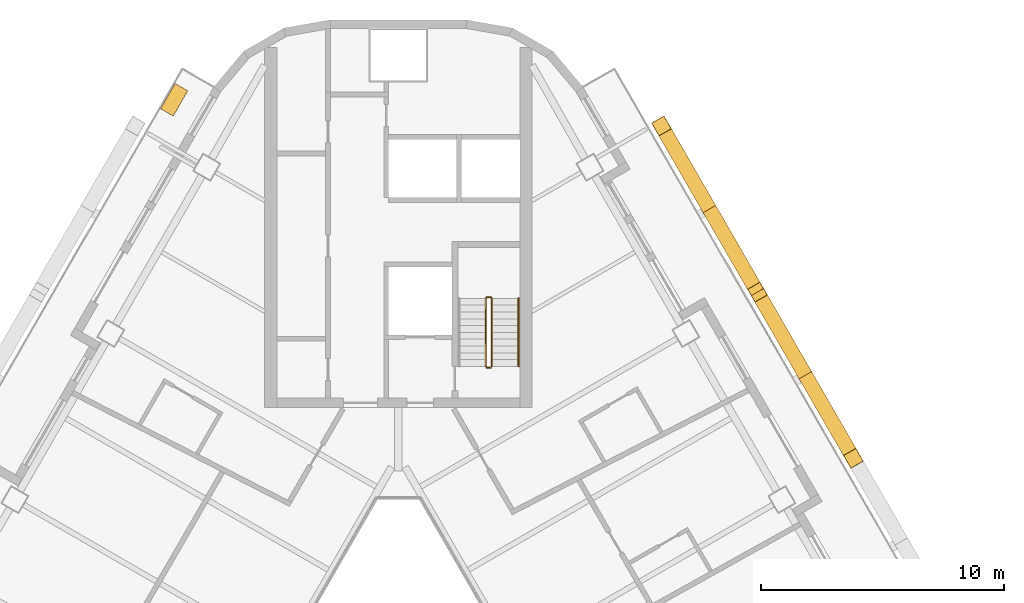
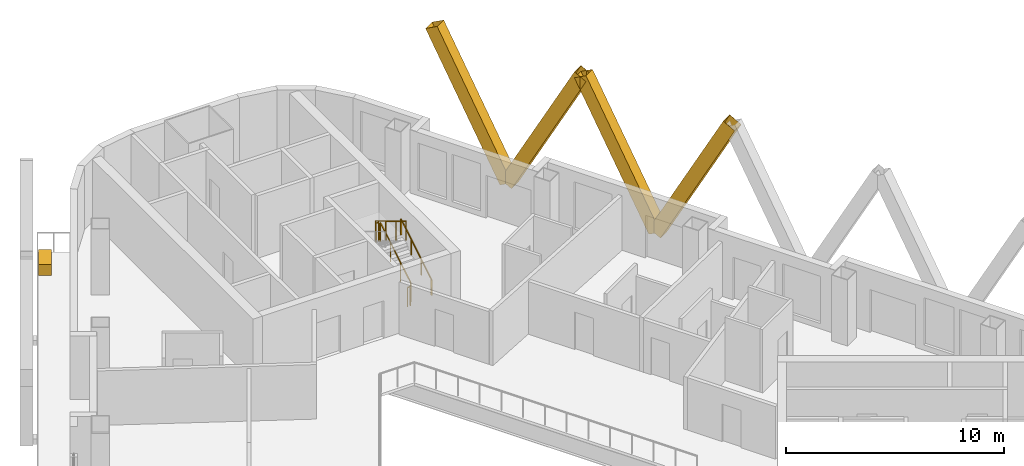
# One storey, part 14 of 14: 5 railings, 4 shading devices, 1 covering.
"""IFC4 building model written with IfcOpenShell, lengths in metres."""

from ifc_helpers import new_model, si_unit, direction, frame, origin, origin_2d, place, context, subcontext, project, spatial, rectangle, hollow_rectangle, circle, extrude, material, material_profile, profile_set, type_object, element, save


model = new_model("IFC4")

# Units and contexts
model_context = context("Model", 3, precision=1e-05, world=origin(), true_north=direction((0.0, 1.0)))
body_context = subcontext(model_context, "Body", "Model", "MODEL_VIEW")
ifc_project = project(units=[si_unit("LENGTHUNIT", "METRE"), si_unit("AREAUNIT", "SQUARE_METRE"), si_unit("VOLUMEUNIT", "CUBIC_METRE"), si_unit("PLANEANGLEUNIT", "RADIAN"), si_unit("MASSUNIT", "GRAM", prefix="KILO")], contexts=[model_context])

# Site, building, storey
site_placement = place(None, origin())
site = spatial("IfcSite", under=ifc_project, at=site_placement, CompositionType="ELEMENT")
building_placement = place(site_placement, origin())
building = spatial("IfcBuilding", under=site, at=building_placement, Name="Apuvela Tower Hotel", CompositionType="ELEMENT")
storey_placement = place(building_placement, frame((0.0, 0.0, 168.800048828125)))
storey = spatial("IfcBuildingStorey", under=building, at=storey_placement, Name="L40", CompositionType="ELEMENT", Elevation=168.800048828125)

# Railings
ifc_material_1 = material(Name="Steel S275 balustrade", Category="steel")
railing_type_1 = type_object("IfcRailingType", Name="COR-GUARD-1100", PredefinedType="GUARDRAIL", material=ifc_material_1)
railing_1_placement = place(storey_placement, frame((3.85009765625, 14.60009765625, 0.168212890625)))
element("IfcRailing", 1, at=railing_1_placement, inside=storey, type_object=railing_type_1, Name="L40 ST1 stair guard 1", PredefinedType="GUARDRAIL", context=body_context, shape_type="SweptSolid", body=[
    extrude(rectangle(XDim=0.048095703125, YDim=0.048095703125, at=origin_2d()), frame((0.0, 0.0, 1.076171875), z_axis=(0.0, 0.857255387014, 0.514891446264), x_axis=(-1.0, 0.0, 0.0)), (0.0, 0.0, 1.0), 3.26611328125),
    extrude(rectangle(XDim=0.0419921875, YDim=0.0419921875, at=origin_2d()), origin(), (0.0, 0.0, 1.0), 1.052001953125),
    extrude(rectangle(XDim=0.0419921875, YDim=0.0419921875, at=origin_2d()), frame((0.0, 0.933349609375, 0.560546875)), (0.0, 0.0, 1.0), 1.052001953125),
    extrude(rectangle(XDim=0.0419921875, YDim=0.0419921875, at=origin_2d()), frame((0.0, 1.866455078125, 1.12109375)), (0.0, 0.0, 1.0), 1.052001953125),
    extrude(rectangle(XDim=0.0419921875, YDim=0.0419921875, at=origin_2d()), frame((0.0, 2.7998046875, 1.681640625)), (0.0, 0.0, 1.0), 1.052001953125),
])
railing_2_placement = place(storey_placement, frame((3.800048828125, 17.449951171875, 1.849853515625)))
element("IfcRailing", 2, at=railing_2_placement, inside=storey, type_object=railing_type_1, Name="L40 ST1 stair guard 2", PredefinedType="GUARDRAIL", context=body_context, shape_type="SweptSolid", body=[
    extrude(rectangle(XDim=0.048095703125, YDim=0.048095703125, at=origin_2d()), frame((0.0, 0.0, 1.076171875), z_axis=(-1.0, 0.0, 0.0), x_axis=(0.0, -1.0, 0.0)), (0.0, 0.0, 1.0), 0.150146484375),
    extrude(rectangle(XDim=0.0419921875, YDim=0.0419921875, at=origin_2d()), origin(), (0.0, 0.0, 1.0), 1.052001953125),
    extrude(rectangle(XDim=0.0419921875, YDim=0.0419921875, at=origin_2d()), frame((-0.150146484375, 0.0, 0.0)), (0.0, 0.0, 1.0), 1.052001953125),
])
railing_3_placement = place(storey_placement, frame((3.60009765625, 17.39990234375, 2.01806640625)))
element("IfcRailing", 3, at=railing_3_placement, inside=storey, type_object=railing_type_1, Name="L40 ST1 stair guard 3", PredefinedType="GUARDRAIL", context=body_context, shape_type="SweptSolid", body=[
    extrude(rectangle(XDim=0.048095703125, YDim=0.048095703125, at=origin_2d()), frame((0.0, 0.0, 1.076171875), z_axis=(0.0, -0.857222391501, 0.514946377315), x_axis=(1.0, 0.0, 0.0)), (0.0, 0.0, 1.0), 3.26611328125),
    extrude(rectangle(XDim=0.0419921875, YDim=0.0419921875, at=origin_2d()), origin(), (0.0, 0.0, 1.0), 1.052001953125),
    extrude(rectangle(XDim=0.0419921875, YDim=0.0419921875, at=origin_2d()), frame((0.0, -0.933349609375, 0.560546875)), (0.0, 0.0, 1.0), 1.052001953125),
    extrude(rectangle(XDim=0.0419921875, YDim=0.0419921875, at=origin_2d()), frame((0.0, -1.866455078125, 1.121337890625)), (0.0, 0.0, 1.0), 1.052001953125),
    extrude(rectangle(XDim=0.0419921875, YDim=0.0419921875, at=origin_2d()), frame((0.0, -2.7998046875, 1.681884765625)), (0.0, 0.0, 1.0), 1.052001953125),
])
railing_4_placement = place(storey_placement, frame((3.800048828125, 14.550048828125, 0.0)))
element("IfcRailing", 4, at=railing_4_placement, inside=storey, type_object=railing_type_1, Name="L40 ST1 stair guard 4", PredefinedType="GUARDRAIL", context=body_context, shape_type="SweptSolid", body=[
    extrude(rectangle(XDim=0.048095703125, YDim=0.048095703125, at=origin_2d()), frame((0.0, 0.0, 1.076171875), z_axis=(-1.0, 0.0, 0.0), x_axis=(0.0, -1.0, 0.0)), (0.0, 0.0, 1.0), 0.150146484375),
    extrude(rectangle(XDim=0.0419921875, YDim=0.0419921875, at=origin_2d()), origin(), (0.0, 0.0, 1.0), 1.052001953125),
    extrude(rectangle(XDim=0.0419921875, YDim=0.0419921875, at=origin_2d()), frame((-0.150146484375, 0.0, 0.0)), (0.0, 0.0, 1.0), 1.052001953125),
])
ifc_material_2 = material(Name="Stainless steel 316 handrail", Category="steel")
railing_type_2 = type_object("IfcRailingType", Name="COR-HANDRAIL-900", PredefinedType="HANDRAIL", material=ifc_material_2)
railing_5_placement = place(storey_placement, frame((4.949951171875, 14.60009765625, 0.168212890625)))
element("IfcRailing", 5, at=railing_5_placement, inside=storey, type_object=railing_type_2, Name="L40 ST1 stair handrail 1", PredefinedType="HANDRAIL", context=body_context, shape_type="SweptSolid", body=[
    extrude(circle(Radius=0.02392578125, at=origin_2d()), frame((0.0, 0.0, 0.8759765625), z_axis=(0.0, 0.857255387014, 0.514891446264), x_axis=(-1.0, 0.0, 0.0)), (0.0, 0.0, 1.0), 3.26611328125),
    extrude(rectangle(XDim=0.0419921875, YDim=0.0419921875, at=origin_2d()), origin(), (0.0, 0.0, 1.0), 0.851806640625),
    extrude(rectangle(XDim=0.0419921875, YDim=0.0419921875, at=origin_2d()), frame((0.0, 0.933349609375, 0.560546875)), (0.0, 0.0, 1.0), 0.851806640625),
    extrude(rectangle(XDim=0.0419921875, YDim=0.0419921875, at=origin_2d()), frame((0.0, 1.866455078125, 1.12109375)), (0.0, 0.0, 1.0), 0.851806640625),
    extrude(rectangle(XDim=0.0419921875, YDim=0.0419921875, at=origin_2d()), frame((0.0, 2.7998046875, 1.681640625)), (0.0, 0.0, 1.0), 0.851806640625),
])

# Shading devices
ifc_material_3 = material(Name="Aluminium 6063-T6, black anodised", Category="aluminium")
ifc_material_profile = material_profile(ifc_material_3, hollow_rectangle(XDim=0.60009765625, YDim=0.699951171875, WallThickness=0.011962890625, at=origin_2d()), Name="AL BOX 700x600x12")
ifc_profile_set = profile_set([ifc_material_profile], Name="Aluminium 6063-T6, black anodised")
shading_device_type = type_object("IfcShadingDeviceType", Name="ENV-FIN-700x600", PredefinedType="USERDEFINED", material=ifc_profile_set)
for number, where, z_axis, x_axis, name in (
    (6, (16.757080078125, 14.23583984375, -0.10009765625), (0.235455039791, -0.407811621453, 0.882185131163), (0.866020906874, 0.500007788796, 0.0), "Lattice fin NE365"),
    (7, (16.757080078125, 14.23583984375, -0.10009765625), (-0.235457834389, 0.407787356937, 0.88219560175), (-0.866005453737, -0.500034552904, 0.0), "Lattice fin NE366"),
    (8, (12.80712890625, 21.077392578125, -0.10009765625), (0.235427548578, -0.407814415956, 0.882191176281), (0.866047669374, 0.499961432884, 0.0), "Lattice fin NE367"),
    (9, (12.80712890625, 21.077392578125, -0.10009765625), (-0.235455039791, 0.407811621453, 0.882185131163), (-0.866020906874, -0.500007788796, 0.0), "Lattice fin NE368"),
):
    element("IfcShadingDevice", number, at=place(storey_placement, frame(where, z_axis=z_axis, x_axis=x_axis)), inside=storey, type_object=shading_device_type, Name=name, ObjectType="FIN", PredefinedType="USERDEFINED", context=body_context, shape_type="SweptSolid", body=[
        extrude(hollow_rectangle(XDim=0.60009765625, YDim=0.699951171875, WallThickness=0.011962890625, at=origin_2d()), origin(), (0.0, 0.0, 1.0), 8.388427734375),
    ])

# Covering
ifc_material_4 = material(Name="Planting substrate and soil, planted")
covering_type = type_object("IfcCoveringType", Name="ENV-PLANTER-1200x600", PredefinedType="USERDEFINED", material=ifc_material_4)
covering_placement = place(storey_placement, frame((-9.228515625, 25.57568359375, 0.0), z_axis=(0.0, 0.0, 1.0), x_axis=(-0.5, -0.866025403784, 0.0)))
element("IfcCovering", 10, at=covering_placement, inside=storey, type_object=covering_type, Name="Planter NW4", ObjectType="PLANTER", PredefinedType="USERDEFINED", context=body_context, shape_type="SweptSolid", body=[
    extrude(rectangle(XDim=1.199951171875, YDim=0.60009765625, at=origin_2d()), origin(), (0.0, 0.0, 1.0), 0.60009765625),
])

save(model, "model.ifc")
